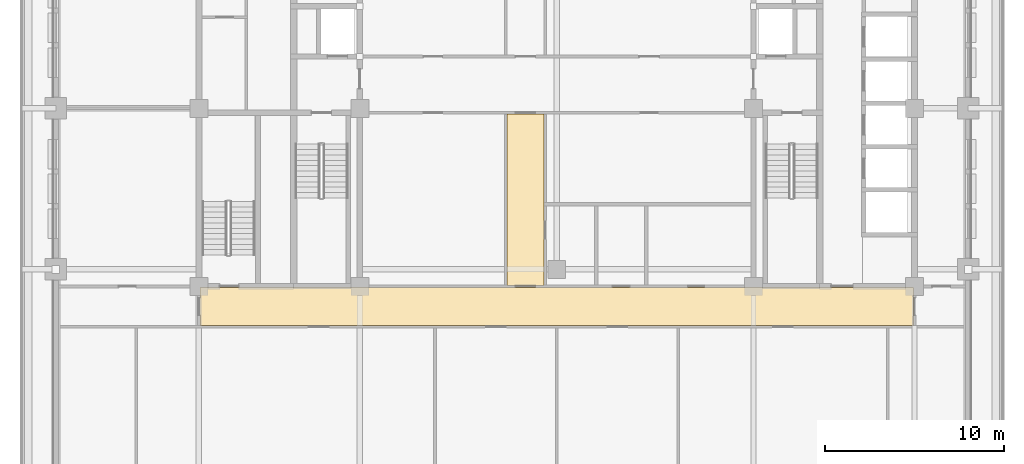
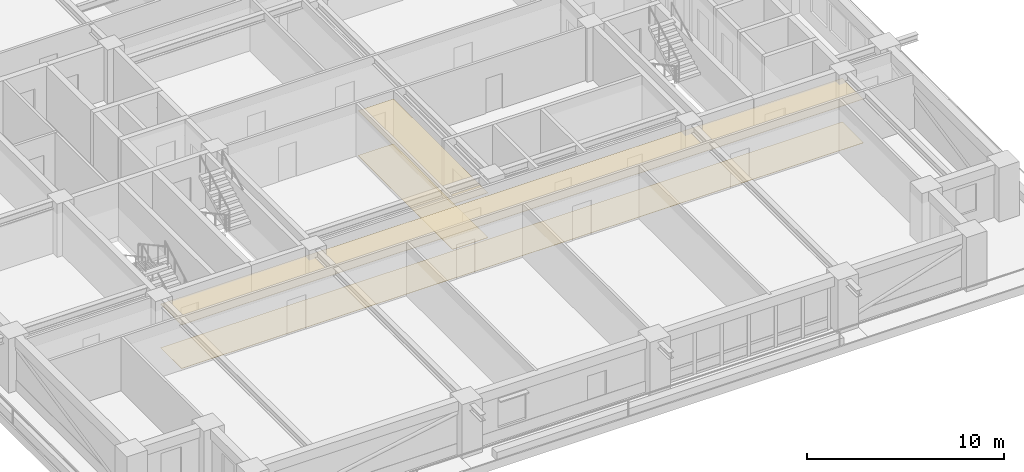
# One storey, part 17 of 20: 4 coverings.
"""IFC4 building model written with IfcOpenShell, lengths in metres."""

from ifc_helpers import new_model, si_unit, direction, frame, origin, place, context, subcontext, project, spatial, polyline, outline, extrude, material, layer, layer_set, type_object, element, save


model = new_model("IFC4")

# Units and contexts
model_context = context("Model", 3, precision=1e-05, world=origin(), true_north=direction((0.0, 1.0)))
body_context = subcontext(model_context, "Body", "Model", "MODEL_VIEW")
ifc_project = project(units=[si_unit("LENGTHUNIT", "METRE"), si_unit("AREAUNIT", "SQUARE_METRE"), si_unit("VOLUMEUNIT", "CUBIC_METRE"), si_unit("PLANEANGLEUNIT", "RADIAN"), si_unit("MASSUNIT", "GRAM", prefix="KILO")], contexts=[model_context])

# Site, building, storey
site_placement = place(None, origin())
site = spatial("IfcSite", under=ifc_project, at=site_placement, CompositionType="ELEMENT")
building_placement = place(site_placement, origin())
building = spatial("IfcBuilding", under=site, at=building_placement, Name="Zulmaris Gate Convention Tower", CompositionType="ELEMENT")
storey_placement = place(building_placement, frame((0.0, 0.0, 142.769775390625)))
storey = spatial("IfcBuildingStorey", under=building, at=storey_placement, Name="L36", CompositionType="ELEMENT", Elevation=142.769775390625)

# Coverings
ifc_material_1 = material(Name="Mineral Fibre Acoustic Ceiling Tile")
ifc_layer_1 = layer(ifc_material_1, 0.02001953125, Name="Mineral Fibre Acoustic Ceiling Tile")
ifc_layer_set_1 = layer_set([ifc_layer_1], Name="Mineral Fibre Acoustic Ceiling Tile")
covering_type_1 = type_object("IfcCoveringType", Name="CLG-ACOUSTIC-600", PredefinedType="CEILING", material=ifc_layer_set_1)
covering_1_placement = place(storey_placement, frame((0.0, 0.0, 2.703125)))
element("IfcCovering", 1, at=covering_1_placement, inside=storey, type_object=covering_type_1, Name="CLG-L36-R29", PredefinedType="CEILING", context=body_context, shape_type="SweptSolid", body=[
    extrude(outline(polyline([(-19.93994140625, -12.139892578125), (19.93994140625, -12.139892578125), (19.93994140625, -10.010009765625), (-19.93994140625, -10.010009765625), (-19.93994140625, -12.139892578125)])), origin(), (0.0, 0.0, 1.0), 0.02001953125),
])
covering_2_placement = place(storey_placement, frame((0.0, 0.0, 2.778076171875)))
element("IfcCovering", 2, at=covering_2_placement, inside=storey, type_object=covering_type_1, Name="CLG-L36-R32", PredefinedType="CEILING", context=body_context, shape_type="SweptSolid", body=[
    extrude(outline(polyline([(-2.7900390625, -9.889892578125), (-0.7099609375, -9.889892578125), (-0.7099609375, -0.31005859375), (-2.7900390625, -0.31005859375), (-2.7900390625, -9.889892578125)])), origin(), (0.0, 0.0, 1.0), 0.02001953125),
])
ifc_material_2 = material(Name="Woven Acoustic Wool Carpet Tile")
ifc_layer_2 = layer(ifc_material_2, 0.02001953125, Name="Woven Acoustic Wool Carpet Tile")
ifc_layer_set_2 = layer_set([ifc_layer_2], Name="Woven Acoustic Wool Carpet Tile")
covering_type_2 = type_object("IfcCoveringType", Name="FLR-CARPET-12", PredefinedType="FLOORING", material=ifc_layer_set_2)
covering_3_placement = place(storey_placement, origin())
element("IfcCovering", 3, at=covering_3_placement, inside=storey, type_object=covering_type_2, Name="FLR-L36-R29", PredefinedType="FLOORING", context=body_context, shape_type="SweptSolid", body=[
    extrude(outline(polyline([(-19.93994140625, -12.139892578125), (19.93994140625, -12.139892578125), (19.93994140625, -10.010009765625), (-19.93994140625, -10.010009765625), (-19.93994140625, -12.139892578125)])), origin(), (0.0, 0.0, 1.0), 0.02001953125),
])
covering_4_placement = place(storey_placement, origin())
element("IfcCovering", 4, at=covering_4_placement, inside=storey, type_object=covering_type_2, Name="FLR-L36-R32", PredefinedType="FLOORING", context=body_context, shape_type="SweptSolid", body=[
    extrude(outline(polyline([(-2.7900390625, -9.889892578125), (-0.7099609375, -9.889892578125), (-0.7099609375, -0.31005859375), (-2.7900390625, -0.31005859375), (-2.7900390625, -9.889892578125)])), origin(), (0.0, 0.0, 1.0), 0.02001953125),
])

save(model, "model.ifc")
